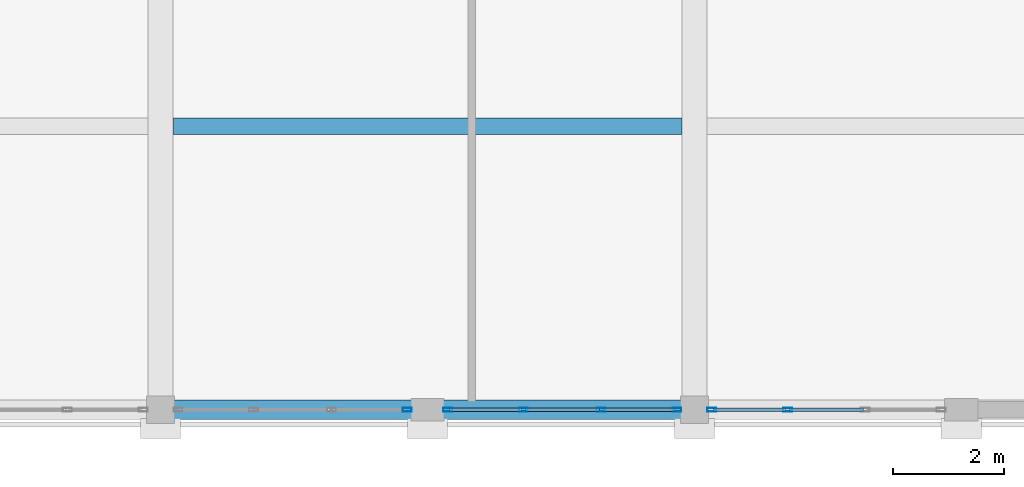
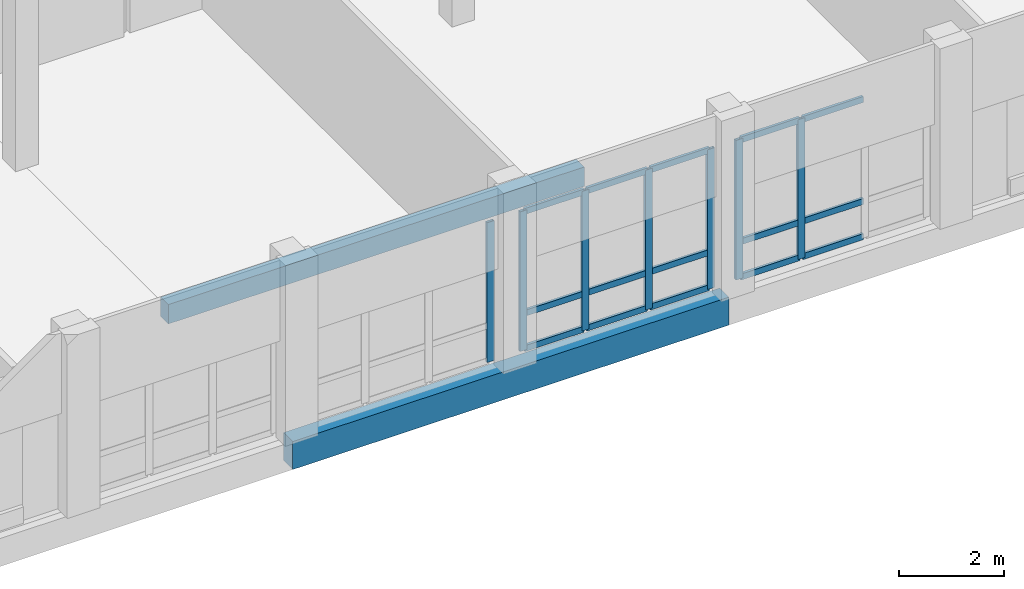
# One storey, part 5 of 29: 22 members, 2 beams, 3 elements without a shape of their own.
"""IFC4 building model written with IfcOpenShell, lengths in metres."""

from ifc_helpers import new_model, si_unit, direction, frame, origin, origin_2d, place, context, subcontext, project, spatial, rectangle, hollow_rectangle, extrude, material, material_profile, profile_set, type_object, element, aggregate, save


model = new_model("IFC4")

# Units and contexts
model_context = context("Model", 3, precision=1e-05, world=origin(), true_north=direction((0.0, 1.0)))
body_context = subcontext(model_context, "Body", "Model", "MODEL_VIEW")
ifc_project = project(units=[si_unit("LENGTHUNIT", "METRE"), si_unit("AREAUNIT", "SQUARE_METRE"), si_unit("VOLUMEUNIT", "CUBIC_METRE"), si_unit("PLANEANGLEUNIT", "RADIAN"), si_unit("MASSUNIT", "GRAM", prefix="KILO")], contexts=[model_context])

# Site, building, storey
site_placement = place(None, origin())
site = spatial("IfcSite", under=ifc_project, at=site_placement, CompositionType="ELEMENT")
building_placement = place(site_placement, origin())
building = spatial("IfcBuilding", under=site, at=building_placement, Name="Vondelvale Polytechnic", CompositionType="ELEMENT")
storey_placement = place(building_placement, frame((0.0, 0.0, 26.39990234375)))
storey = spatial("IfcBuildingStorey", under=building, at=storey_placement, Name="L06", CompositionType="ELEMENT", Elevation=26.39990234375)

# Curtain wall, member
ifc_material_1 = material(Name="Anodised extruded aluminium 6063-T6", Category="aluminium")
curtain_wall_type = type_object("IfcCurtainWallType", Name="CW-LIBRARY-BAY", PredefinedType="NOTDEFINED", material=ifc_material_1)
curtain_wall_1_placement = place(storey_placement, origin())
curtain_wall_1 = element("IfcCurtainWall", 1, at=curtain_wall_1_placement, inside=storey, type_object=curtain_wall_type, Name="L06 architectural curtain wall CW-02-044", PredefinedType="NOTDEFINED")
ifc_material_profile_1 = material_profile(ifc_material_1, hollow_rectangle(XDim=0.06494140625, YDim=0.159912109375, WallThickness=0.0048828125, at=origin_2d()), Name="CW-MUL-160x65")
ifc_profile_set_1 = profile_set([ifc_material_profile_1], Name="Anodised extruded aluminium 6063-T6")
member_type_1 = type_object("IfcMemberType", Name="CW-MUL-65x160", PredefinedType="MULLION", material=ifc_profile_set_1)
member_1_placement = place(storey_placement, frame((23.637451171875, 0.0, 0.0), z_axis=(0.0, 0.0, 1.0), x_axis=(0.0, 1.0, 0.0)))
member_1 = element("IfcMember", 2, at=member_1_placement, type_object=member_type_1, Name="CW-02-044 mullion 4", PredefinedType="MULLION", context=body_context, shape_type="SweptSolid", body=[
    extrude(hollow_rectangle(XDim=0.06494140625, YDim=0.159912109375, WallThickness=0.0048828125, at=origin_2d()), origin(), (0.0, 0.0, 1.0), 3.25),
])
aggregate(curtain_wall_1, [member_1])

# Curtain wall, members
curtain_wall_2_placement = place(storey_placement, origin())
curtain_wall_2 = element("IfcCurtainWall", 3, at=curtain_wall_2_placement, inside=storey, type_object=curtain_wall_type, Name="L06 architectural curtain wall CW-02-045", PredefinedType="NOTDEFINED")
member_2_placement = place(storey_placement, frame((24.362548828125, 0.0, 0.0), z_axis=(0.0, 0.0, 1.0), x_axis=(0.0, 1.0, 0.0)))
member_2 = element("IfcMember", 4, at=member_2_placement, type_object=member_type_1, Name="CW-02-045 mullion 1", PredefinedType="MULLION", context=body_context, shape_type="SweptSolid", body=[
    extrude(hollow_rectangle(XDim=0.06494140625, YDim=0.159912109375, WallThickness=0.0048828125, at=origin_2d()), origin(), (0.0, 0.0, 1.0), 3.25),
])
member_3_placement = place(storey_placement, frame((25.7265625, 0.0, 0.0), z_axis=(0.0, 0.0, 1.0), x_axis=(0.0, 1.0, 0.0)))
member_3 = element("IfcMember", 5, at=member_3_placement, type_object=member_type_1, Name="CW-02-045 mullion 2", PredefinedType="MULLION", context=body_context, shape_type="SweptSolid", body=[
    extrude(hollow_rectangle(XDim=0.06494140625, YDim=0.159912109375, WallThickness=0.0048828125, at=origin_2d()), origin(), (0.0, 0.0, 1.0), 3.25),
])
member_4_placement = place(storey_placement, frame((27.123291015625, 0.0, 0.0), z_axis=(0.0, 0.0, 1.0), x_axis=(0.0, 1.0, 0.0)))
member_4 = element("IfcMember", 6, at=member_4_placement, type_object=member_type_1, Name="CW-02-045 mullion 3", PredefinedType="MULLION", context=body_context, shape_type="SweptSolid", body=[
    extrude(hollow_rectangle(XDim=0.06494140625, YDim=0.159912109375, WallThickness=0.0048828125, at=origin_2d()), origin(), (0.0, 0.0, 1.0), 3.25),
])
member_5_placement = place(storey_placement, frame((28.487548828125, 0.0, 0.0), z_axis=(0.0, 0.0, 1.0), x_axis=(0.0, 1.0, 0.0)))
member_5 = element("IfcMember", 7, at=member_5_placement, type_object=member_type_1, Name="CW-02-045 mullion 4", PredefinedType="MULLION", context=body_context, shape_type="SweptSolid", body=[
    extrude(hollow_rectangle(XDim=0.06494140625, YDim=0.159912109375, WallThickness=0.0048828125, at=origin_2d()), origin(), (0.0, 0.0, 1.0), 3.25),
])

curtain_wall_3_placement = place(storey_placement, origin())
curtain_wall_3 = element("IfcCurtainWall", 8, at=curtain_wall_3_placement, inside=storey, type_object=curtain_wall_type, Name="L06 architectural curtain wall CW-02-046", PredefinedType="NOTDEFINED")
member_6_placement = place(storey_placement, frame((29.112548828125, 0.0, 0.0), z_axis=(0.0, 0.0, 1.0), x_axis=(0.0, 1.0, 0.0)))
member_6 = element("IfcMember", 9, at=member_6_placement, type_object=member_type_1, Name="CW-02-046 mullion 1", PredefinedType="MULLION", context=body_context, shape_type="SweptSolid", body=[
    extrude(hollow_rectangle(XDim=0.06494140625, YDim=0.159912109375, WallThickness=0.0048828125, at=origin_2d()), origin(), (0.0, 0.0, 1.0), 3.25),
])
member_7_placement = place(storey_placement, frame((30.4765625, 0.0, 0.0), z_axis=(0.0, 0.0, 1.0), x_axis=(0.0, 1.0, 0.0)))
member_7 = element("IfcMember", 10, at=member_7_placement, type_object=member_type_1, Name="CW-02-046 mullion 2", PredefinedType="MULLION", context=body_context, shape_type="SweptSolid", body=[
    extrude(hollow_rectangle(XDim=0.06494140625, YDim=0.159912109375, WallThickness=0.0048828125, at=origin_2d()), origin(), (0.0, 0.0, 1.0), 3.25),
])

# Member
ifc_material_profile_2 = material_profile(ifc_material_1, hollow_rectangle(XDim=0.06005859375, YDim=0.139892578125, WallThickness=0.00341796875, at=origin_2d()), Name="CW-TRN-140x60")
ifc_profile_set_2 = profile_set([ifc_material_profile_2], Name="Anodised extruded aluminium 6063-T6")
member_type_2 = type_object("IfcMemberType", Name="CW-TRN-60x140", PredefinedType="USERDEFINED", material=ifc_profile_set_2)
member_8_placement = place(storey_placement, frame((24.39501953125, 0.0, 0.030029296875), z_axis=(1.0, 0.0, 0.0), x_axis=(0.0, 1.0, 0.0)))
member_8 = element("IfcMember", 11, at=member_8_placement, type_object=member_type_2, Name="CW-02-045 transom 1.1", ObjectType="TRANSOM", PredefinedType="USERDEFINED", context=body_context, shape_type="SweptSolid", body=[
    extrude(hollow_rectangle(XDim=0.06005859375, YDim=0.139892578125, WallThickness=0.00341796875, at=origin_2d()), origin(), (0.0, 0.0, 1.0), 1.299072265625),
])

member_9_placement = place(storey_placement, frame((24.39501953125, 0.0, 0.85009765625), z_axis=(1.0, 0.0, 0.0), x_axis=(0.0, 1.0, 0.0)))
member_9 = element("IfcMember", 12, at=member_9_placement, type_object=member_type_2, Name="CW-02-045 transom 1.2", ObjectType="TRANSOM", PredefinedType="USERDEFINED", context=body_context, shape_type="SweptSolid", body=[
    extrude(hollow_rectangle(XDim=0.06005859375, YDim=0.139892578125, WallThickness=0.00341796875, at=origin_2d()), origin(), (0.0, 0.0, 1.0), 1.299072265625),
])

member_10_placement = place(storey_placement, frame((24.39501953125, 0.0, 3.22021484375), z_axis=(1.0, 0.0, 0.0), x_axis=(0.0, 1.0, 0.0)))
member_10 = element("IfcMember", 13, at=member_10_placement, type_object=member_type_2, Name="CW-02-045 transom 1.3", ObjectType="TRANSOM", PredefinedType="USERDEFINED", context=body_context, shape_type="SweptSolid", body=[
    extrude(hollow_rectangle(XDim=0.06005859375, YDim=0.139892578125, WallThickness=0.00341796875, at=origin_2d()), origin(), (0.0, 0.0, 1.0), 1.299072265625),
])

member_11_placement = place(storey_placement, frame((25.75927734375, 0.0, 0.030029296875), z_axis=(1.0, 0.0, 0.0), x_axis=(0.0, 1.0, 0.0)))
member_11 = element("IfcMember", 14, at=member_11_placement, type_object=member_type_2, Name="CW-02-045 transom 2.1", ObjectType="TRANSOM", PredefinedType="USERDEFINED", context=body_context, shape_type="SweptSolid", body=[
    extrude(hollow_rectangle(XDim=0.06005859375, YDim=0.139892578125, WallThickness=0.00341796875, at=origin_2d()), origin(), (0.0, 0.0, 1.0), 1.33154296875),
])

member_12_placement = place(storey_placement, frame((25.75927734375, 0.0, 0.85009765625), z_axis=(1.0, 0.0, 0.0), x_axis=(0.0, 1.0, 0.0)))
member_12 = element("IfcMember", 15, at=member_12_placement, type_object=member_type_2, Name="CW-02-045 transom 2.2", ObjectType="TRANSOM", PredefinedType="USERDEFINED", context=body_context, shape_type="SweptSolid", body=[
    extrude(hollow_rectangle(XDim=0.06005859375, YDim=0.139892578125, WallThickness=0.00341796875, at=origin_2d()), origin(), (0.0, 0.0, 1.0), 1.33154296875),
])

member_13_placement = place(storey_placement, frame((25.75927734375, 0.0, 3.22021484375), z_axis=(1.0, 0.0, 0.0), x_axis=(0.0, 1.0, 0.0)))
member_13 = element("IfcMember", 16, at=member_13_placement, type_object=member_type_2, Name="CW-02-045 transom 2.3", ObjectType="TRANSOM", PredefinedType="USERDEFINED", context=body_context, shape_type="SweptSolid", body=[
    extrude(hollow_rectangle(XDim=0.06005859375, YDim=0.139892578125, WallThickness=0.00341796875, at=origin_2d()), origin(), (0.0, 0.0, 1.0), 1.33154296875),
])

member_14_placement = place(storey_placement, frame((27.15576171875, 0.0, 0.030029296875), z_axis=(1.0, 0.0, 0.0), x_axis=(0.0, 1.0, 0.0)))
member_14 = element("IfcMember", 17, at=member_14_placement, type_object=member_type_2, Name="CW-02-045 transom 3.1", ObjectType="TRANSOM", PredefinedType="USERDEFINED", context=body_context, shape_type="SweptSolid", body=[
    extrude(hollow_rectangle(XDim=0.06005859375, YDim=0.139892578125, WallThickness=0.00341796875, at=origin_2d()), origin(), (0.0, 0.0, 1.0), 1.29931640625),
])

member_15_placement = place(storey_placement, frame((27.15576171875, 0.0, 0.85009765625), z_axis=(1.0, 0.0, 0.0), x_axis=(0.0, 1.0, 0.0)))
member_15 = element("IfcMember", 18, at=member_15_placement, type_object=member_type_2, Name="CW-02-045 transom 3.2", ObjectType="TRANSOM", PredefinedType="USERDEFINED", context=body_context, shape_type="SweptSolid", body=[
    extrude(hollow_rectangle(XDim=0.06005859375, YDim=0.139892578125, WallThickness=0.00341796875, at=origin_2d()), origin(), (0.0, 0.0, 1.0), 1.29931640625),
])

member_16_placement = place(storey_placement, frame((27.15576171875, 0.0, 3.22021484375), z_axis=(1.0, 0.0, 0.0), x_axis=(0.0, 1.0, 0.0)))
member_16 = element("IfcMember", 19, at=member_16_placement, type_object=member_type_2, Name="CW-02-045 transom 3.3", ObjectType="TRANSOM", PredefinedType="USERDEFINED", context=body_context, shape_type="SweptSolid", body=[
    extrude(hollow_rectangle(XDim=0.06005859375, YDim=0.139892578125, WallThickness=0.00341796875, at=origin_2d()), origin(), (0.0, 0.0, 1.0), 1.29931640625),
])

aggregate(curtain_wall_2, [member_2, member_3, member_4, member_5, member_8, member_9, member_10, member_11, member_12, member_13, member_14, member_15, member_16])

member_17_placement = place(storey_placement, frame((29.14501953125, 0.0, 0.030029296875), z_axis=(1.0, 0.0, 0.0), x_axis=(0.0, 1.0, 0.0)))
member_17 = element("IfcMember", 20, at=member_17_placement, type_object=member_type_2, Name="CW-02-046 transom 1.1", ObjectType="TRANSOM", PredefinedType="USERDEFINED", context=body_context, shape_type="SweptSolid", body=[
    extrude(hollow_rectangle(XDim=0.06005859375, YDim=0.139892578125, WallThickness=0.00341796875, at=origin_2d()), origin(), (0.0, 0.0, 1.0), 1.299072265625),
])

member_18_placement = place(storey_placement, frame((29.14501953125, 0.0, 0.85009765625), z_axis=(1.0, 0.0, 0.0), x_axis=(0.0, 1.0, 0.0)))
member_18 = element("IfcMember", 21, at=member_18_placement, type_object=member_type_2, Name="CW-02-046 transom 1.2", ObjectType="TRANSOM", PredefinedType="USERDEFINED", context=body_context, shape_type="SweptSolid", body=[
    extrude(hollow_rectangle(XDim=0.06005859375, YDim=0.139892578125, WallThickness=0.00341796875, at=origin_2d()), origin(), (0.0, 0.0, 1.0), 1.299072265625),
])

member_19_placement = place(storey_placement, frame((29.14501953125, 0.0, 3.22021484375), z_axis=(1.0, 0.0, 0.0), x_axis=(0.0, 1.0, 0.0)))
member_19 = element("IfcMember", 22, at=member_19_placement, type_object=member_type_2, Name="CW-02-046 transom 1.3", ObjectType="TRANSOM", PredefinedType="USERDEFINED", context=body_context, shape_type="SweptSolid", body=[
    extrude(hollow_rectangle(XDim=0.06005859375, YDim=0.139892578125, WallThickness=0.00341796875, at=origin_2d()), origin(), (0.0, 0.0, 1.0), 1.299072265625),
])

member_20_placement = place(storey_placement, frame((30.50927734375, 0.0, 0.030029296875), z_axis=(1.0, 0.0, 0.0), x_axis=(0.0, 1.0, 0.0)))
member_20 = element("IfcMember", 23, at=member_20_placement, type_object=member_type_2, Name="CW-02-046 transom 2.1", ObjectType="TRANSOM", PredefinedType="USERDEFINED", context=body_context, shape_type="SweptSolid", body=[
    extrude(hollow_rectangle(XDim=0.06005859375, YDim=0.139892578125, WallThickness=0.00341796875, at=origin_2d()), origin(), (0.0, 0.0, 1.0), 1.33154296875),
])

member_21_placement = place(storey_placement, frame((30.50927734375, 0.0, 0.85009765625), z_axis=(1.0, 0.0, 0.0), x_axis=(0.0, 1.0, 0.0)))
member_21 = element("IfcMember", 24, at=member_21_placement, type_object=member_type_2, Name="CW-02-046 transom 2.2", ObjectType="TRANSOM", PredefinedType="USERDEFINED", context=body_context, shape_type="SweptSolid", body=[
    extrude(hollow_rectangle(XDim=0.06005859375, YDim=0.139892578125, WallThickness=0.00341796875, at=origin_2d()), origin(), (0.0, 0.0, 1.0), 1.33154296875),
])

member_22_placement = place(storey_placement, frame((30.50927734375, 0.0, 3.22021484375), z_axis=(1.0, 0.0, 0.0), x_axis=(0.0, 1.0, 0.0)))
member_22 = element("IfcMember", 25, at=member_22_placement, type_object=member_type_2, Name="CW-02-046 transom 2.3", ObjectType="TRANSOM", PredefinedType="USERDEFINED", context=body_context, shape_type="SweptSolid", body=[
    extrude(hollow_rectangle(XDim=0.06005859375, YDim=0.139892578125, WallThickness=0.00341796875, at=origin_2d()), origin(), (0.0, 0.0, 1.0), 1.33154296875),
])

aggregate(curtain_wall_3, [member_6, member_7, member_17, member_18, member_19, member_20, member_21, member_22])

# Beams
ifc_material_2 = material(Name="Concrete N40 (f'c = 40 MPa)", Category="concrete")
ifc_material_profile_3 = material_profile(ifc_material_2, rectangle(XDim=0.300048828125, YDim=0.449951171875, at=origin_2d()), Name="RC-JST-300x450")
ifc_profile_set_3 = profile_set([ifc_material_profile_3], Name="Concrete N40 (f'c = 40 MPa)")
beam_type_1 = type_object("IfcBeamType", Name="JST-RC300x450", PredefinedType="JOIST", material=ifc_profile_set_3)
beam_1_placement = place(storey_placement, frame((19.425048828125, 5.10009765625, -0.449951171875), z_axis=(1.0, 0.0, 0.0), x_axis=(0.0, 1.0, 0.0)))
element("IfcBeam", 26, at=beam_1_placement, inside=storey, type_object=beam_type_1, Name="L06 J J-03", PredefinedType="JOIST", context=body_context, shape_type="SweptSolid", body=[
    extrude(rectangle(XDim=0.300048828125, YDim=0.449951171875, at=origin_2d()), origin(), (0.0, 0.0, 1.0), 9.14990234375),
])
ifc_material_3 = material(Name="Precast concrete N40 (f'c = 40 MPa)", Category="concrete")
ifc_material_profile_4 = material_profile(ifc_material_3, rectangle(XDim=0.35009765625, YDim=0.64990234375, at=origin_2d()), Name="RC-SPN-350x650")
ifc_profile_set_4 = profile_set([ifc_material_profile_4], Name="Precast concrete N40 (f'c = 40 MPa)")
beam_type_2 = type_object("IfcBeamType", Name="SPN-PRE350x650", PredefinedType="SPANDREL", material=ifc_profile_set_4)
beam_2_placement = place(storey_placement, frame((19.199951171875, 0.0, -0.5498046875), z_axis=(1.0, 0.0, 0.0), x_axis=(0.0, 1.0, 0.0)))
element("IfcBeam", 27, at=beam_2_placement, inside=storey, type_object=beam_type_2, Name="L06 B SP-02", PredefinedType="SPANDREL", context=body_context, shape_type="SweptSolid", body=[
    extrude(rectangle(XDim=0.35009765625, YDim=0.64990234375, at=origin_2d()), origin(), (0.0, 0.0, 1.0), 9.60009765625),
])

save(model, "model.ifc")
